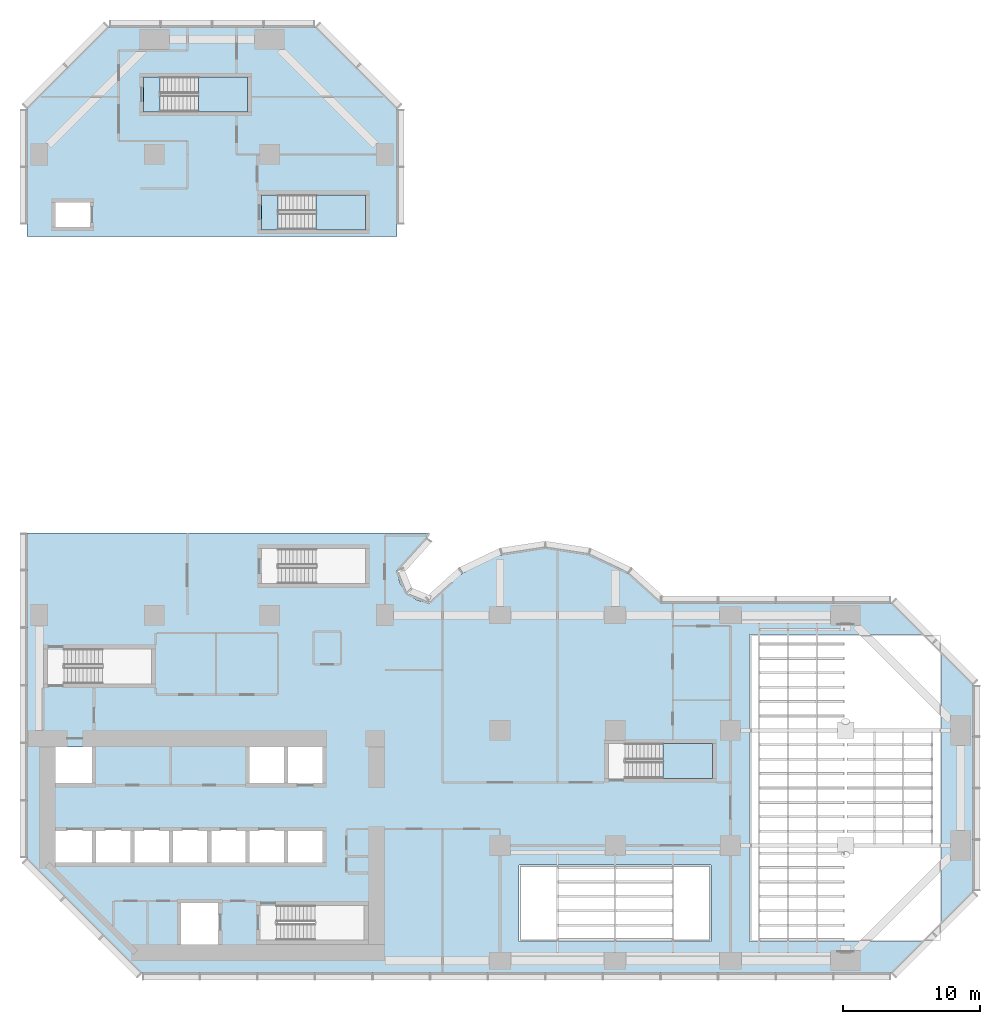
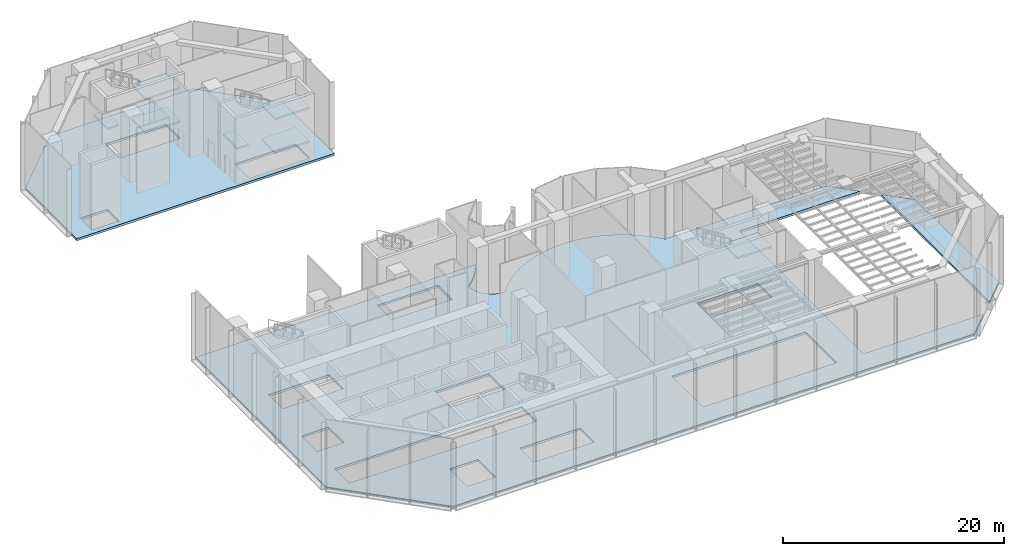
# One storey, part 8 of 22: 11 slabs, 3 elements without a shape of their own.
"""IFC4 building model written with IfcOpenShell, lengths in metres."""

from ifc_helpers import new_model, si_unit, direction, frame, origin, place, context, subcontext, project, spatial, polyline, outline, extrude, material, layer, layer_set, type_object, element, aggregate, save


model = new_model("IFC4")

# Units and contexts
model_context = context("Model", 3, precision=1e-05, world=origin(), true_north=direction((0.0, 1.0)))
body_context = subcontext(model_context, "Body", "Model", "MODEL_VIEW")
ifc_project = project(units=[si_unit("LENGTHUNIT", "METRE"), si_unit("AREAUNIT", "SQUARE_METRE"), si_unit("VOLUMEUNIT", "CUBIC_METRE"), si_unit("PLANEANGLEUNIT", "RADIAN"), si_unit("MASSUNIT", "GRAM", prefix="KILO")], contexts=[model_context])

# Site, building, storey
site_placement = place(None, origin())
site = spatial("IfcSite", under=ifc_project, at=site_placement, CompositionType="ELEMENT")
building_placement = place(site_placement, origin())
building = spatial("IfcBuilding", under=site, at=building_placement, Name="Brevane Broadcast Tower", CompositionType="ELEMENT")
storey_placement = place(building_placement, frame((0.0, 0.0, 20.0)))
storey = spatial("IfcBuildingStorey", under=building, at=storey_placement, Name="L03", CompositionType="ELEMENT", Elevation=20.0)

# Stair, slabs
ifc_material_1 = material(Name="Concrete C50/60", Category="concrete")
stair_type = type_object("IfcStairType", Name="Exit stair 44 risers", PredefinedType="HALF_TURN_STAIR", material=ifc_material_1)
stair_1_placement = place(storey_placement, origin())
stair_1 = element("IfcStair", 1, at=stair_1_placement, inside=storey, type_object=stair_type, Name="L03 Exit stair ST-4", PredefinedType="HALF_TURN_STAIR")
ifc_layer_1 = layer(ifc_material_1, 0.199951171875)
ifc_layer_set_1 = layer_set([ifc_layer_1], Name="Exit stair landing")
slab_type_1 = type_object("IfcSlabType", Name="Exit stair landing", PredefinedType="LANDING", material=ifc_layer_set_1)
slab_1_placement = place(storey_placement, frame((0.0, 0.0, 1.675048828125)))
slab_1 = element("IfcSlab", 2, at=slab_1_placement, type_object=slab_type_1, Name="ST-4 landing 1", PredefinedType="LANDING", context=body_context, shape_type="SweptSolid", body=[
    extrude(outline(polyline([(45.5, 13.300048828125), (49.10009765625, 13.300048828125), (49.10009765625, 15.85009765625), (45.5, 15.85009765625), (45.5, 13.300048828125)])), origin(), (0.0, 0.0, 1.0), 0.199951171875),
])
slab_2_placement = place(storey_placement, frame((0.0, 0.0, 5.425048828125)))
slab_2 = element("IfcSlab", 3, at=slab_2_placement, type_object=slab_type_1, Name="ST-4 landing 3", PredefinedType="LANDING", context=body_context, shape_type="SweptSolid", body=[
    extrude(outline(polyline([(45.5, 13.300048828125), (49.10009765625, 13.300048828125), (49.10009765625, 15.85009765625), (45.5, 15.85009765625), (45.5, 13.300048828125)])), origin(), (0.0, 0.0, 1.0), 0.199951171875),
])
aggregate(stair_1, [slab_1, slab_2])

stair_2_placement = place(storey_placement, origin())
stair_2 = element("IfcStair", 4, at=stair_2_placement, inside=storey, type_object=stair_type, Name="L03 Exit stair ST-5", PredefinedType="HALF_TURN_STAIR")
slab_3_placement = place(storey_placement, frame((0.0, 0.0, 1.675048828125)))
slab_3 = element("IfcSlab", 5, at=slab_3_placement, type_object=slab_type_1, Name="ST-5 landing 1", PredefinedType="LANDING", context=body_context, shape_type="SweptSolid", body=[
    extrude(outline(polyline([(20.199951171875, 53.300048828125), (23.800048828125, 53.300048828125), (23.800048828125, 55.85009765625), (20.199951171875, 55.85009765625), (20.199951171875, 53.300048828125)])), origin(), (0.0, 0.0, 1.0), 0.199951171875),
])
slab_4_placement = place(storey_placement, frame((0.0, 0.0, 3.550048828125)))
slab_4 = element("IfcSlab", 6, at=slab_4_placement, type_object=slab_type_1, Name="ST-5 landing 2", PredefinedType="LANDING", context=body_context, shape_type="SweptSolid", body=[
    extrude(outline(polyline([(16.199951171875, 53.300048828125), (17.39990234375, 53.300048828125), (17.39990234375, 55.85009765625), (16.199951171875, 55.85009765625), (16.199951171875, 53.300048828125)])), origin(), (0.0, 0.0, 1.0), 0.199951171875),
])
slab_5_placement = place(storey_placement, frame((0.0, 0.0, 5.425048828125)))
slab_5 = element("IfcSlab", 7, at=slab_5_placement, type_object=slab_type_1, Name="ST-5 landing 3", PredefinedType="LANDING", context=body_context, shape_type="SweptSolid", body=[
    extrude(outline(polyline([(20.199951171875, 53.300048828125), (23.800048828125, 53.300048828125), (23.800048828125, 55.85009765625), (20.199951171875, 55.85009765625), (20.199951171875, 53.300048828125)])), origin(), (0.0, 0.0, 1.0), 0.199951171875),
])
aggregate(stair_2, [slab_3, slab_4, slab_5])

stair_3_placement = place(storey_placement, origin())
stair_3 = element("IfcStair", 8, at=stair_3_placement, inside=storey, type_object=stair_type, Name="L03 Exit stair ST-6", PredefinedType="HALF_TURN_STAIR")
slab_6_placement = place(storey_placement, frame((0.0, 0.0, 1.675048828125)))
slab_6 = element("IfcSlab", 9, at=slab_6_placement, type_object=slab_type_1, Name="ST-6 landing 1", PredefinedType="LANDING", context=body_context, shape_type="SweptSolid", body=[
    extrude(outline(polyline([(11.60009765625, 61.89990234375), (15.199951171875, 61.89990234375), (15.199951171875, 64.449951171875), (11.60009765625, 64.449951171875), (11.60009765625, 61.89990234375)])), origin(), (0.0, 0.0, 1.0), 0.199951171875),
])
slab_7_placement = place(storey_placement, frame((0.0, 0.0, 3.550048828125)))
slab_7 = element("IfcSlab", 10, at=slab_7_placement, type_object=slab_type_1, Name="ST-6 landing 2", PredefinedType="LANDING", context=body_context, shape_type="SweptSolid", body=[
    extrude(outline(polyline([(7.60009765625, 61.89990234375), (8.800048828125, 61.89990234375), (8.800048828125, 64.449951171875), (7.60009765625, 64.449951171875), (7.60009765625, 61.89990234375)])), origin(), (0.0, 0.0, 1.0), 0.199951171875),
])
slab_8_placement = place(storey_placement, frame((0.0, 0.0, 5.425048828125)))
slab_8 = element("IfcSlab", 11, at=slab_8_placement, type_object=slab_type_1, Name="ST-6 landing 3", PredefinedType="LANDING", context=body_context, shape_type="SweptSolid", body=[
    extrude(outline(polyline([(11.60009765625, 61.89990234375), (15.199951171875, 61.89990234375), (15.199951171875, 64.449951171875), (11.60009765625, 64.449951171875), (11.60009765625, 61.89990234375)])), origin(), (0.0, 0.0, 1.0), 0.199951171875),
])
aggregate(stair_3, [slab_6, slab_7, slab_8])

# Slabs
ifc_material_2 = material(Name="Concrete C40/50", Category="concrete")
ifc_layer_2 = layer(ifc_material_2, 0.25)
ifc_layer_set_2 = layer_set([ifc_layer_2], Name="RC FLOOR SLAB 250 C40/50")
slab_type_2 = type_object("IfcSlabType", Name="RC FLOOR SLAB 250 C40/50", PredefinedType="FLOOR", material=ifc_layer_set_2)
slab_9_placement = place(storey_placement, frame((0.0, 0.0, -0.25)))
element("IfcSlab", 12, at=slab_9_placement, inside=storey, type_object=slab_type_2, Name="SL250 L03", PredefinedType="FLOOR", context=body_context, shape_type="SweptSolid", body=[
    extrude(outline(polyline([(-0.89990234375, 31.199951171875), (28.45263671875, 31.199951171875), (27.99169921875, 30.48291015625), (27.10888671875, 29.431396484375), (26.10009765625, 28.5), (26.28271484375, 27.58154296875), (26.802978515625, 26.802978515625), (27.58154296875, 26.28271484375), (28.5, 26.10009765625), (29.431396484375, 27.10888671875), (30.48291015625, 27.99169921875), (31.6376953125, 28.734130859375), (32.877197265625, 29.324462890625), (34.181640625, 29.7529296875), (35.52978515625, 30.012939453125), (36.89990234375, 30.10009765625), (38.270263671875, 30.012939453125), (39.618408203125, 29.7529296875), (40.922607421875, 29.324462890625), (42.162353515625, 28.734130859375), (43.317138671875, 27.99169921875), (44.36865234375, 27.10888671875), (45.300048828125, 26.10009765625), (62.10009765625, 26.10009765625), (64.39990234375, 23.800048828125), (51.800048828125, 23.800048828125), (51.800048828125, 1.39990234375), (64.39990234375, 1.39990234375), (62.10009765625, -0.89990234375), (7.5, -0.89990234375), (-0.89990234375, 7.5), (-0.89990234375, 31.199951171875)]), holes=[polyline([(13.199951171875, 1.199951171875), (13.199951171875, 4.39990234375), (10.199951171875, 4.39990234375), (10.199951171875, 1.199951171875), (13.199951171875, 1.199951171875)]), polyline([(6.800048828125, 9.60009765625), (4.0, 9.60009765625), (1.199951171875, 9.60009765625), (1.199951171875, 7.0), (4.0, 7.0), (6.800048828125, 7.0), (9.60009765625, 7.0), (12.39990234375, 7.0), (15.199951171875, 7.0), (18.0, 7.0), (20.800048828125, 7.0), (20.800048828125, 9.60009765625), (18.0, 9.60009765625), (15.199951171875, 9.60009765625), (12.39990234375, 9.60009765625), (9.60009765625, 9.60009765625), (6.800048828125, 9.60009765625)]), polyline([(4.0, 12.800048828125), (4.0, 15.60009765625), (1.199951171875, 15.60009765625), (1.199951171875, 12.800048828125), (4.0, 12.800048828125)]), polyline([(8.199951171875, 22.75), (1.860107421875, 22.75), (1.860107421875, 20.199951171875), (8.199951171875, 20.199951171875), (8.199951171875, 22.75)]), polyline([(23.699951171875, 4.050048828125), (17.360107421875, 4.050048828125), (17.360107421875, 1.5), (23.699951171875, 1.5), (23.699951171875, 4.050048828125)]), polyline([(49.0, 1.39990234375), (49.0, 7.0), (35.0, 7.0), (35.0, 1.39990234375), (49.0, 1.39990234375)]), polyline([(18.0, 15.60009765625), (15.199951171875, 15.60009765625), (15.199951171875, 12.800048828125), (18.0, 12.800048828125), (20.800048828125, 12.800048828125), (20.800048828125, 15.60009765625), (18.0, 15.60009765625)]), polyline([(49.10009765625, 15.85009765625), (42.760009765625, 15.85009765625), (42.760009765625, 13.300048828125), (49.10009765625, 13.300048828125), (49.10009765625, 15.85009765625)]), polyline([(23.800048828125, 27.5), (23.800048828125, 30.050048828125), (17.4599609375, 30.050048828125), (17.4599609375, 27.5), (23.800048828125, 27.5)])]), origin(), (0.0, 0.0, 1.0), 0.25),
])
slab_10_placement = place(storey_placement, frame((0.0, 0.0, -0.25)))
element("IfcSlab", 13, at=slab_10_placement, inside=storey, type_object=slab_type_2, Name="SL250 L03", PredefinedType="FLOOR", context=body_context, shape_type="SweptSolid", body=[
    extrude(outline(polyline([(68.10009765625, 20.10009765625), (68.10009765625, 5.10009765625), (65.800048828125, 2.800048828125), (65.800048828125, 22.39990234375), (68.10009765625, 20.10009765625)])), origin(), (0.0, 0.0, 1.0), 0.25),
])
slab_11_placement = place(storey_placement, frame((0.0, 0.0, -0.25)))
element("IfcSlab", 14, at=slab_11_placement, inside=storey, type_object=slab_type_2, Name="SL250 L03", PredefinedType="FLOOR", context=body_context, shape_type="SweptSolid", body=[
    extrude(outline(polyline([(5.10009765625, 68.10009765625), (20.10009765625, 68.10009765625), (26.10009765625, 62.10009765625), (26.10009765625, 52.800048828125), (-0.89990234375, 52.800048828125), (-0.89990234375, 62.10009765625), (5.10009765625, 68.10009765625)]), holes=[polyline([(1.050048828125, 53.35009765625), (3.85009765625, 53.35009765625), (3.85009765625, 55.449951171875), (1.050048828125, 55.449951171875), (1.050048828125, 53.35009765625)]), polyline([(15.199951171875, 61.89990234375), (15.199951171875, 64.449951171875), (8.860107421875, 64.449951171875), (8.860107421875, 61.89990234375), (15.199951171875, 61.89990234375)]), polyline([(23.800048828125, 53.300048828125), (23.800048828125, 55.85009765625), (17.4599609375, 55.85009765625), (17.4599609375, 53.300048828125), (23.800048828125, 53.300048828125)])]), origin(), (0.0, 0.0, 1.0), 0.25),
])

save(model, "model.ifc")
